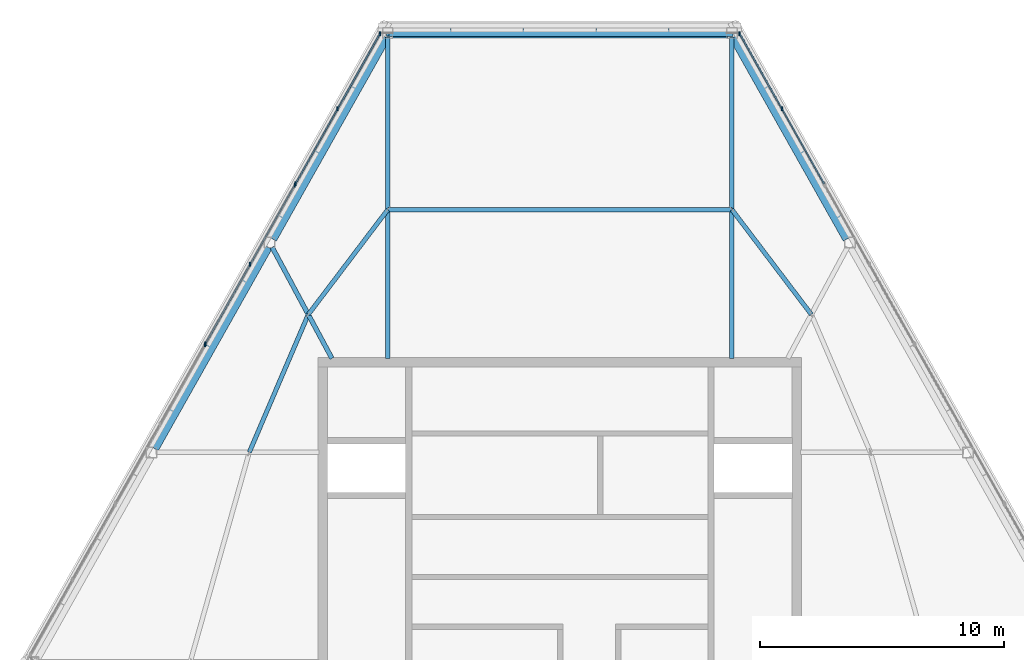
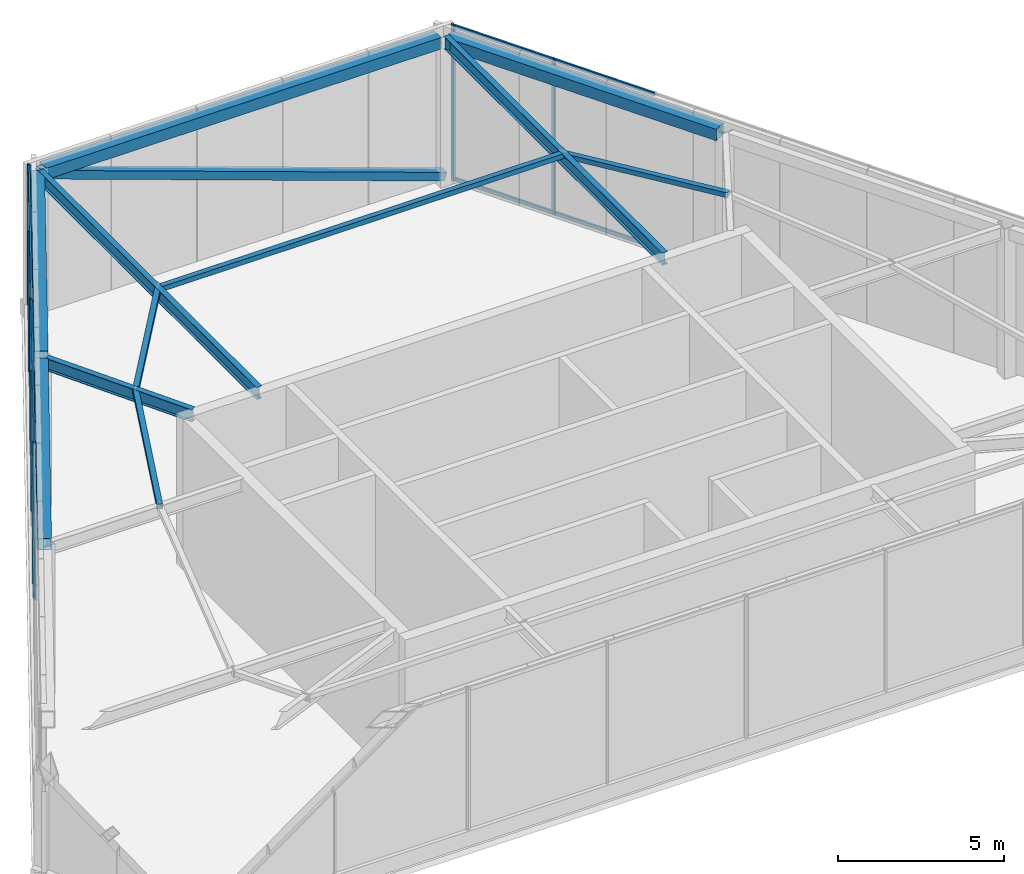
# One storey, part 4 of 12: 20 members, 7 beams, 4 elements without a shape of their own.
"""IFC4 building model written with IfcOpenShell, lengths in metres."""

import ifcopenshell
import ifcopenshell.guid

model = None  # the IFC model being written
_history = None  # IfcOwnerHistory: only IFC2X3 demands one
_inside = {}  # id of a spatial element -> (the spatial element, [elements in it])
_under = {}  # id of a project, library or spatial element -> (it, [spatial elements below it])
_declared = {}  # id of a project -> (the project, [libraries it declares])
_typed = {}  # id of a type object -> (the type object, [elements of that type])
_made_of = {}  # id of a material, layer set ... -> (it, [elements and type objects made of it])


def new_model(schema):
    """Start an empty IFC model of exactly this schema.

    Asked for "IFC4X3", IfcOpenShell would pick the latest addendum, in which some entities
    have other attributes; the version numbers below select the first issue.
    IFC2X3 requires an IfcOwnerHistory on every rooted entity: one is made here for all.
    """
    global model, _history
    if schema == "IFC4X3":
        model = ifcopenshell.file(schema_version=(4, 3, 0, 0))
    else:
        model = ifcopenshell.file(schema=schema)
    _inside.clear()
    _under.clear()
    _declared.clear()
    _typed.clear()
    _made_of.clear()
    _history = None
    if model.schema == "IFC2X3":
        org = make("IfcOrganization", Name="unknown")
        user = make(
            "IfcPersonAndOrganization",
            ThePerson=make("IfcPerson", FamilyName="unknown"),
            TheOrganization=org,
        )
        app = make(
            "IfcApplication",
            ApplicationDeveloper=org,
            Version="unknown",
            ApplicationFullName="unknown",
            ApplicationIdentifier="unknown",
        )
        _history = make(
            "IfcOwnerHistory",
            OwningUser=user,
            OwningApplication=app,
            ChangeAction="ADDED",
            CreationDate=0,
        )
    return model


def make(cls, **values):
    """One entity of the class cls with the attributes given. An attribute that is None is left unset."""
    return model.create_entity(
        cls, **{name: value for name, value in values.items() if value is not None}
    )


def rooted(cls, **values):
    """An entity with a GlobalId (a new one), such as an element, a storey or a relation."""
    return make(cls, GlobalId=ifcopenshell.guid.new(), OwnerHistory=_history, **values)


def si_unit(unit_type, name, prefix=None):
    """IfcSIUnit, for example si_unit("LENGTHUNIT", "METRE", prefix="MILLI")."""
    return make("IfcSIUnit", UnitType=unit_type, Prefix=prefix, Name=name)


def assignment(units):
    """IfcUnitAssignment: the units of a project."""
    return None if units is None else make("IfcUnitAssignment", Units=units)


def point(xyz):
    """IfcCartesianPoint."""
    return None if xyz is None else make("IfcCartesianPoint", Coordinates=xyz)


def direction(xyz):
    """IfcDirection."""
    return None if xyz is None else make("IfcDirection", DirectionRatios=xyz)


def frame(location, z_axis=None, x_axis=None):
    """IfcAxis2Placement3D, a coordinate frame: its origin and axes. An axis left out is left unset."""
    return make(
        "IfcAxis2Placement3D",
        Location=point(location),
        Axis=direction(z_axis),
        RefDirection=direction(x_axis),
    )


def frame_2d(location, x_axis=None):
    """IfcAxis2Placement2D, a coordinate frame in the plane: its origin and x axis."""
    return make(
        "IfcAxis2Placement2D", Location=point(location), RefDirection=direction(x_axis)
    )


def origin():
    """The frame at (0, 0, 0) with its axes left unset."""
    return frame((0.0, 0.0, 0.0))


def origin_2d():
    """The frame at (0, 0) in the plane with its x axis left unset."""
    return frame_2d((0.0, 0.0))


def place(relative_to, where):
    """IfcLocalPlacement: puts the frame where relative to a parent placement (None: the world)."""
    return make(
        "IfcLocalPlacement", PlacementRelTo=relative_to, RelativePlacement=where
    )


def context(
    kind, dimensions, precision=None, world=None, true_north=None, identifier=None
):
    """IfcGeometricRepresentationContext, for example the 3D "Model" context."""
    return make(
        "IfcGeometricRepresentationContext",
        ContextIdentifier=identifier,
        ContextType=kind,
        CoordinateSpaceDimension=dimensions,
        Precision=precision,
        WorldCoordinateSystem=world,
        TrueNorth=true_north,
    )


def subcontext(parent, identifier, kind, view, scale=None):
    """IfcGeometricRepresentationSubContext, for example "Body" below "Model"."""
    return make(
        "IfcGeometricRepresentationSubContext",
        ContextIdentifier=identifier,
        ContextType=kind,
        ParentContext=parent,
        TargetScale=scale,
        TargetView=view,
    )


def project(units=None, contexts=None):
    """IfcProject with its units and contexts."""
    return rooted(
        "IfcProject",
        Name="project",
        RepresentationContexts=contexts,
        UnitsInContext=assignment(units),
    )


def spatial(cls, under=None, at=None, **own):
    """A site, building, storey or space (cls), placed at a placement, below another one or the project."""
    s = rooted(cls, ObjectPlacement=at, **own)
    if under is not None:
        _under.setdefault(under.id(), (under, []))[1].append(s)
    return s


def profile(cls, at=None, kind="AREA", **sizes):
    """A parametric profile (cls). Its sizes go by their IFC names, for example OverallWidth=200.0."""
    return make(cls, ProfileType=kind, Position=at, **sizes)


def rectangle(**sizes):
    """IfcRectangleProfileDef."""
    return profile("IfcRectangleProfileDef", **sizes)


def hollow_rectangle(**sizes):
    """IfcRectangleHollowProfileDef."""
    return profile("IfcRectangleHollowProfileDef", **sizes)


def i_section(**sizes):
    """IfcIShapeProfileDef."""
    return profile("IfcIShapeProfileDef", **sizes)


def extrude(swept, where, along, depth):
    """IfcExtrudedAreaSolid: the profile swept, set in the frame where, extruded along a direction by depth."""
    return make(
        "IfcExtrudedAreaSolid",
        SweptArea=swept,
        Position=where,
        ExtrudedDirection=direction(along),
        Depth=depth,
    )


def shape(context_of_items, identifier, shape_type, items):
    """IfcShapeRepresentation: the items that make up one representation, for example the "Body"."""
    return make(
        "IfcShapeRepresentation",
        ContextOfItems=context_of_items,
        RepresentationIdentifier=identifier,
        RepresentationType=shape_type,
        Items=items,
    )


def material(Name=None, Category=None):
    """IfcMaterial."""
    return make("IfcMaterial", Name=Name, Category=Category)


def layer(
    of_material, thickness, ventilated=None, Name=None, Category=None, Priority=None
):
    """IfcMaterialLayer: one layer of a wall or slab, of a material (None: an air gap)."""
    return make(
        "IfcMaterialLayer",
        Material=of_material,
        LayerThickness=thickness,
        IsVentilated=ventilated,
        Name=Name,
        Category=Category,
        Priority=Priority,
    )


def layer_set(layers, Name=None):
    """IfcMaterialLayerSet."""
    return make("IfcMaterialLayerSet", MaterialLayers=layers, LayerSetName=Name)


def material_profile(
    of_material, cross_section, Name=None, Category=None, Priority=None
):
    """IfcMaterialProfile: a cross section and its material."""
    return make(
        "IfcMaterialProfile",
        Name=Name,
        Material=of_material,
        Profile=cross_section,
        Priority=Priority,
        Category=Category,
    )


def profile_set(profiles, Name=None, composite=None):
    """IfcMaterialProfileSet."""
    return make(
        "IfcMaterialProfileSet",
        Name=Name,
        MaterialProfiles=profiles,
        CompositeProfile=composite,
    )


def made_of(thing, what):
    """Note that an element or type object is made of a material, layer set ...; save() writes the relation."""
    if what is not None:
        _made_of.setdefault(what.id(), (what, []))[1].append(thing)
    return thing


def type_object(cls, material=None, **own):
    """A type object (cls), such as IfcWallType, which elements share."""
    return made_of(rooted(cls, **own), material)


def element(
    cls,
    number,
    at=None,
    inside=None,
    cuts=None,
    type_object=None,
    material=None,
    context=None,
    identifier="Body",
    shape_type=None,
    held_by="IfcProductDefinitionShape",
    body=None,
    shapes=None,
    **own,
):
    """One element of the class cls, such as IfcWall. Its Tag is "e" and its number.

    at: its placement. inside: the storey or other place that contains it. cuts: it is an
    opening in that element (IfcRelVoidsElement). A single representation is given by context,
    identifier, shape_type and body (its items); several are given by shapes. held_by: the class
    of the entity that holds the representations. save() writes the other relations.
    """
    e = rooted(cls, Tag="e%d" % number, ObjectPlacement=at, **own)
    if body is not None:
        shapes = [shape(context, identifier, shape_type, body)]
    if shapes is not None:
        e.Representation = make(held_by, Representations=shapes)
    if inside is not None:
        _inside.setdefault(inside.id(), (inside, []))[1].append(e)
    if cuts is not None:
        rooted(
            "IfcRelVoidsElement", RelatingBuildingElement=cuts, RelatedOpeningElement=e
        )
    if type_object is not None:
        _typed.setdefault(type_object.id(), (type_object, []))[1].append(e)
    return made_of(e, material)


def aggregate(whole, parts):
    """IfcRelAggregates: a whole, such as a stair, and the parts it consists of."""
    return rooted("IfcRelAggregates", RelatingObject=whole, RelatedObjects=parts)


def save(model, path):
    """Write the relations noted so far, then the file.

    IfcRelAggregates (storeys below a building ...), IfcRelContainedInSpatialStructure (elements
    in a storey), IfcRelDefinesByType, IfcRelAssociatesMaterial and IfcRelDeclares: one each for
    every whole, place, type object, material and project.
    """
    for whole, parts in _under.values():
        aggregate(whole, parts)
    for where, things in _inside.values():
        rooted(
            "IfcRelContainedInSpatialStructure",
            RelatedElements=things,
            RelatingStructure=where,
        )
    for kind, things in _typed.values():
        rooted("IfcRelDefinesByType", RelatedObjects=things, RelatingType=kind)
    for what, things in _made_of.values():
        rooted("IfcRelAssociatesMaterial", RelatedObjects=things, RelatingMaterial=what)
    for by, libraries in _declared.values():
        rooted("IfcRelDeclares", RelatingContext=by, RelatedDefinitions=libraries)
    model.write(path)


model = new_model("IFC4")

# Units and contexts
model_context = context("Model", 3, precision=1e-05, world=origin(), true_north=direction((0.0, 1.0)))
body_context = subcontext(model_context, "Body", "Model", "MODEL_VIEW")
ifc_project = project(units=[si_unit("LENGTHUNIT", "METRE"), si_unit("AREAUNIT", "SQUARE_METRE"), si_unit("VOLUMEUNIT", "CUBIC_METRE"), si_unit("PLANEANGLEUNIT", "RADIAN"), si_unit("MASSUNIT", "GRAM", prefix="KILO")], contexts=[model_context])

# Site, building, storey
site_placement = place(None, origin())
site = spatial("IfcSite", under=ifc_project, at=site_placement, CompositionType="ELEMENT")
building_placement = place(site_placement, origin())
building = spatial("IfcBuilding", under=site, at=building_placement, Name="Kavelnor Concourse Tower", CompositionType="ELEMENT")
storey_placement = place(building_placement, frame((0.0, 0.0, 315.699951171875)))
storey = spatial("IfcBuildingStorey", under=building, at=storey_placement, Name="L79", CompositionType="ELEMENT", Elevation=315.699951171875)

# Beams
ifc_material_1 = material(Name="Steel Grade 350", Category="steel")
ifc_material_profile_1 = material_profile(ifc_material_1, hollow_rectangle(XDim=0.419921875, YDim=0.419921875, WallThickness=0.02001953125, at=origin_2d()), Name="RHS 420x420x20")
ifc_profile_set_1 = profile_set([ifc_material_profile_1], Name="Steel Grade 350")
beam_type_1 = type_object("IfcBeamType", Name="BM-CROWN-CAP-420", PredefinedType="BEAM", material=ifc_profile_set_1)
beam_1_placement = place(storey_placement, frame((30.85791015625, 36.110595703125, 5.31005859375), z_axis=(-0.490756437, -0.871296803359, 0.0), x_axis=(0.871296803359, -0.490756437, 0.0)))
element("IfcBeam", 1, at=beam_1_placement, inside=storey, type_object=beam_type_1, Name="L79 Crown Frame Cap Ring Beam 01", PredefinedType="BEAM", context=body_context, shape_type="SweptSolid", body=[
    extrude(hollow_rectangle(XDim=0.419921875, YDim=0.419921875, WallThickness=0.02001953125, at=origin_2d()), origin(), (0.0, 0.0, 1.0), 9.478515625),
])
beam_2_placement = place(storey_placement, frame((26.02001953125, 27.52099609375, 5.31005859375), z_axis=(-0.490747896448, -0.871301613755, 0.0), x_axis=(0.871301613755, -0.490747896448, 0.0)))
element("IfcBeam", 2, at=beam_2_placement, inside=storey, type_object=beam_type_1, Name="L79 Crown Frame Cap Ring Beam 02", PredefinedType="BEAM", context=body_context, shape_type="SweptSolid", body=[
    extrude(hollow_rectangle(XDim=0.419921875, YDim=0.419921875, WallThickness=0.02001953125, at=origin_2d()), origin(), (0.0, 0.0, 1.0), 9.47802734375),
])
beam_3_placement = place(storey_placement, frame((49.793701171875, 27.85205078125, 5.31005859375), z_axis=(-0.490756437, 0.871296803359, 0.0), x_axis=(-0.871296803359, -0.490756437, 0.0)))
element("IfcBeam", 3, at=beam_3_placement, inside=storey, type_object=beam_type_1, Name="L79 Crown Frame Cap Ring Beam 11", PredefinedType="BEAM", context=body_context, shape_type="SweptSolid", body=[
    extrude(hollow_rectangle(XDim=0.419921875, YDim=0.419921875, WallThickness=0.02001953125, at=origin_2d()), origin(), (0.0, 0.0, 1.0), 9.478515625),
])
beam_4_placement = place(storey_placement, frame((44.85888671875, 36.276123046875, 5.31005859375), z_axis=(-1.0, 0.0, 0.0), x_axis=(0.0, -1.0, 0.0)))
element("IfcBeam", 4, at=beam_4_placement, inside=storey, type_object=beam_type_1, Name="L79 Crown Frame Cap Ring Beam 12", PredefinedType="BEAM", context=body_context, shape_type="SweptSolid", body=[
    extrude(hollow_rectangle(XDim=0.419921875, YDim=0.419921875, WallThickness=0.02001953125, at=origin_2d()), origin(), (0.0, 0.0, 1.0), 13.7177734375),
])
ifc_material_profile_2 = material_profile(ifc_material_1, i_section(OverallWidth=0.18994140625, OverallDepth=0.4541015625, WebThickness=0.008544921875, FlangeThickness=0.0126953125, at=origin_2d()), Name="460UB67")
ifc_profile_set_2 = profile_set([ifc_material_profile_2], Name="Steel Grade 350")
beam_type_2 = type_object("IfcBeamType", Name="BM-PRIMARY-460", PredefinedType="BEAM", material=ifc_profile_set_2)
beam_5_placement = place(storey_placement, frame((30.950927734375, 22.93994140625, 5.29296875), z_axis=(0.0, 1.0, 0.0), x_axis=(-1.0, 0.0, 0.0)))
element("IfcBeam", 5, at=beam_5_placement, inside=storey, type_object=beam_type_2, Name="L79 Crown Frame Radial Girder F0B0", PredefinedType="BEAM", context=body_context, shape_type="SweptSolid", body=[
    extrude(i_section(OverallWidth=0.18994140625, OverallDepth=0.4541015625, WebThickness=0.008544921875, FlangeThickness=0.0126953125, at=origin_2d()), origin(), (0.0, 0.0, 1.0), 13.151123046875),
])
beam_6_placement = place(storey_placement, frame((28.6640625, 22.94482421875, 5.29296875), z_axis=(-0.473747703751, 0.880660611808, 0.0), x_axis=(-0.880660611808, -0.473747703751, 0.0)))
element("IfcBeam", 6, at=beam_6_placement, inside=storey, type_object=beam_type_2, Name="L79 Crown Frame Radial Girder F0B2", PredefinedType="BEAM", context=body_context, shape_type="SweptSolid", body=[
    extrude(i_section(OverallWidth=0.18994140625, OverallDepth=0.4541015625, WebThickness=0.008544921875, FlangeThickness=0.0126953125, at=origin_2d()), origin(), (0.0, 0.0, 1.0), 5.1689453125),
])
beam_7_placement = place(storey_placement, frame((45.049072265625, 22.93994140625, 5.29296875), z_axis=(0.0, 1.0, 0.0), x_axis=(-1.0, 0.0, 0.0)))
element("IfcBeam", 7, at=beam_7_placement, inside=storey, type_object=beam_type_2, Name="L79 Crown Frame Radial Girder F2B6", PredefinedType="BEAM", context=body_context, shape_type="SweptSolid", body=[
    extrude(i_section(OverallWidth=0.18994140625, OverallDepth=0.4541015625, WebThickness=0.008544921875, FlangeThickness=0.0126953125, at=origin_2d()), origin(), (0.0, 0.0, 1.0), 13.151123046875),
])

# Curtain wall, members
ifc_material_2 = material(Name="Anodised aluminium 6063-T6", Category="aluminium")
ifc_layer = layer(ifc_material_2, 0.1650390625, Name="Anodised aluminium 6063-T6")
ifc_layer_set = layer_set([ifc_layer], Name="Anodised aluminium 6063-T6")
curtain_wall_type = type_object("IfcCurtainWallType", Name="CW-CROWN-SCREEN", PredefinedType="NOTDEFINED", material=ifc_layer_set)
curtain_wall_1_placement = place(storey_placement, origin())
curtain_wall_1 = element("IfcCurtainWall", 8, at=curtain_wall_1_placement, inside=storey, type_object=curtain_wall_type, Name="L79 Crown Fritted Screen Curtain Wall E1-S1", PredefinedType="NOTDEFINED")
ifc_material_profile_3 = material_profile(ifc_material_2, rectangle(XDim=0.06005859375, YDim=0.1650390625, at=origin_2d()), Name="AL-MULL 60x165")
ifc_profile_set_3 = profile_set([ifc_material_profile_3], Name="Anodised aluminium 6063-T6")
member_type_1 = type_object("IfcMemberType", Name="CW-CROWN-SCREEN-MULL", PredefinedType="MULLION", material=ifc_profile_set_3)
member_1_placement = place(storey_placement, frame((30.631591796875, 36.238525390625, 0.0), z_axis=(0.0, 0.0, 1.0), x_axis=(1.0, 0.0, 0.0)))
member_1 = element("IfcMember", 9, at=member_1_placement, type_object=member_type_1, Name="L79 Crown Fritted Screen Curtain Wall E1-S1 Mullion 0", PredefinedType="MULLION", context=body_context, shape_type="SweptSolid", body=[
    extrude(rectangle(XDim=0.06005859375, YDim=0.1650390625, at=origin_2d()), origin(), (0.0, 0.0, 1.0), 5.72998046875),
])
member_2_placement = place(storey_placement, frame((28.9013671875, 33.16650390625, 0.0), z_axis=(0.0, 0.0, 1.0), x_axis=(1.0, 0.0, 0.0)))
member_2 = element("IfcMember", 10, at=member_2_placement, type_object=member_type_1, Name="L79 Crown Fritted Screen Curtain Wall E1-S1 Mullion 1", PredefinedType="MULLION", context=body_context, shape_type="SweptSolid", body=[
    extrude(rectangle(XDim=0.06005859375, YDim=0.1650390625, at=origin_2d()), origin(), (0.0, 0.0, 1.0), 5.72998046875),
])
member_3_placement = place(storey_placement, frame((27.171142578125, 30.0947265625, 0.0), z_axis=(0.0, 0.0, 1.0), x_axis=(1.0, 0.0, 0.0)))
member_3 = element("IfcMember", 11, at=member_3_placement, type_object=member_type_1, Name="L79 Crown Fritted Screen Curtain Wall E1-S1 Mullion 2", PredefinedType="MULLION", context=body_context, shape_type="SweptSolid", body=[
    extrude(rectangle(XDim=0.06005859375, YDim=0.1650390625, at=origin_2d()), origin(), (0.0, 0.0, 1.0), 5.72998046875),
])

curtain_wall_2_placement = place(storey_placement, origin())
curtain_wall_2 = element("IfcCurtainWall", 12, at=curtain_wall_2_placement, inside=storey, type_object=curtain_wall_type, Name="L79 Crown Fritted Screen Curtain Wall E1-S2", PredefinedType="NOTDEFINED")
member_4_placement = place(storey_placement, frame((27.1416015625, 30.04248046875, 0.0), z_axis=(0.0, 0.0, 1.0), x_axis=(1.0, 0.0, 0.0)))
member_4 = element("IfcMember", 13, at=member_4_placement, type_object=member_type_1, Name="L79 Crown Fritted Screen Curtain Wall E1-S2 Mullion 0", PredefinedType="MULLION", context=body_context, shape_type="SweptSolid", body=[
    extrude(rectangle(XDim=0.06005859375, YDim=0.1650390625, at=origin_2d()), origin(), (0.0, 0.0, 1.0), 5.72998046875),
])
member_5_placement = place(storey_placement, frame((25.313232421875, 26.79638671875, 0.0), z_axis=(0.0, 0.0, 1.0), x_axis=(1.0, 0.0, 0.0)))
member_5 = element("IfcMember", 14, at=member_5_placement, type_object=member_type_1, Name="L79 Crown Fritted Screen Curtain Wall E1-S2 Mullion 1", PredefinedType="MULLION", context=body_context, shape_type="SweptSolid", body=[
    extrude(rectangle(XDim=0.06005859375, YDim=0.1650390625, at=origin_2d()), origin(), (0.0, 0.0, 1.0), 5.72998046875),
])
member_6_placement = place(storey_placement, frame((23.485107421875, 23.550048828125, 0.0), z_axis=(0.0, 0.0, 1.0), x_axis=(1.0, 0.0, 0.0)))
member_6 = element("IfcMember", 15, at=member_6_placement, type_object=member_type_1, Name="L79 Crown Fritted Screen Curtain Wall E1-S2 Mullion 2", PredefinedType="MULLION", context=body_context, shape_type="SweptSolid", body=[
    extrude(rectangle(XDim=0.06005859375, YDim=0.1650390625, at=origin_2d()), origin(), (0.0, 0.0, 1.0), 5.72998046875),
])

# Curtain wall, member
curtain_wall_3_placement = place(storey_placement, origin())
curtain_wall_3 = element("IfcCurtainWall", 16, at=curtain_wall_3_placement, inside=storey, type_object=curtain_wall_type, Name="L79 Crown Fritted Screen Curtain Wall E1-S3", PredefinedType="NOTDEFINED")
member_7_placement = place(storey_placement, frame((23.45556640625, 23.497802734375, 0.0), z_axis=(0.0, 0.0, 1.0), x_axis=(1.0, 0.0, 0.0)))
member_7 = element("IfcMember", 17, at=member_7_placement, type_object=member_type_1, Name="L79 Crown Fritted Screen Curtain Wall E1-S3 Mullion 0", PredefinedType="MULLION", context=body_context, shape_type="SweptSolid", body=[
    extrude(rectangle(XDim=0.06005859375, YDim=0.1650390625, at=origin_2d()), origin(), (0.0, 0.0, 1.0), 5.72998046875),
])
aggregate(curtain_wall_3, [member_7])

# Curtain wall, members
curtain_wall_4_placement = place(storey_placement, origin())
curtain_wall_4 = element("IfcCurtainWall", 18, at=curtain_wall_4_placement, inside=storey, type_object=curtain_wall_type, Name="L79 Crown Fritted Screen Curtain Wall E5-S4", PredefinedType="NOTDEFINED")
member_8_placement = place(storey_placement, frame((47.0986328125, 33.16650390625, 0.0), z_axis=(0.0, 0.0, 1.0), x_axis=(1.0, 0.0, 0.0)))
member_8 = element("IfcMember", 19, at=member_8_placement, type_object=member_type_1, Name="L79 Crown Fritted Screen Curtain Wall E5-S4 Mullion 1", PredefinedType="MULLION", context=body_context, shape_type="SweptSolid", body=[
    extrude(rectangle(XDim=0.06005859375, YDim=0.1650390625, at=origin_2d()), origin(), (0.0, 0.0, 1.0), 5.72998046875),
])
member_9_placement = place(storey_placement, frame((45.368408203125, 36.238525390625, 0.0), z_axis=(0.0, 0.0, 1.0), x_axis=(1.0, 0.0, 0.0)))
member_9 = element("IfcMember", 20, at=member_9_placement, type_object=member_type_1, Name="L79 Crown Fritted Screen Curtain Wall E5-S4 Mullion 2", PredefinedType="MULLION", context=body_context, shape_type="SweptSolid", body=[
    extrude(rectangle(XDim=0.06005859375, YDim=0.1650390625, at=origin_2d()), origin(), (0.0, 0.0, 1.0), 5.72998046875),
])

# Member
ifc_material_profile_4 = material_profile(ifc_material_2, rectangle(XDim=0.06005859375, YDim=0.135009765625, at=origin_2d()), Name="AL-TRAN 60x135")
ifc_profile_set_4 = profile_set([ifc_material_profile_4], Name="Anodised aluminium 6063-T6")
member_type_2 = type_object("IfcMemberType", Name="CW-CROWN-SCREEN-TRAN", PredefinedType="USERDEFINED", material=ifc_profile_set_4)
member_10_placement = place(storey_placement, frame((30.631591796875, 36.238525390625, 0.06005859375), z_axis=(-0.49075267072, -0.871298924699, 0.0), x_axis=(0.871298924699, -0.49075267072, 0.0)))
member_10 = element("IfcMember", 21, at=member_10_placement, type_object=member_type_2, Name="L79 Crown Fritted Screen Curtain Wall E1-S1 Transom 0-BOT", ObjectType="TRANSOM", PredefinedType="USERDEFINED", context=body_context, shape_type="SweptSolid", body=[
    extrude(rectangle(XDim=0.06005859375, YDim=0.135009765625, at=origin_2d()), origin(), (0.0, 0.0, 1.0), 7.05126953125),
])

member_11_placement = place(storey_placement, frame((30.631591796875, 36.238525390625, 5.670166015625), z_axis=(-0.49075267072, -0.871298924699, 0.0), x_axis=(0.871298924699, -0.49075267072, 0.0)))
member_11 = element("IfcMember", 22, at=member_11_placement, type_object=member_type_2, Name="L79 Crown Fritted Screen Curtain Wall E1-S1 Transom 0-TOP", ObjectType="TRANSOM", PredefinedType="USERDEFINED", context=body_context, shape_type="SweptSolid", body=[
    extrude(rectangle(XDim=0.06005859375, YDim=0.135009765625, at=origin_2d()), origin(), (0.0, 0.0, 1.0), 7.05126953125),
])

aggregate(curtain_wall_1, [member_1, member_2, member_3, member_10, member_11])

member_12_placement = place(storey_placement, frame((27.1416015625, 30.04248046875, 0.06005859375), z_axis=(-0.490720074883, -0.871317283259, 0.0), x_axis=(0.871317283259, -0.490720074883, 0.0)))
member_12 = element("IfcMember", 23, at=member_12_placement, type_object=member_type_2, Name="L79 Crown Fritted Screen Curtain Wall E1-S2 Transom 0-BOT", ObjectType="TRANSOM", PredefinedType="USERDEFINED", context=body_context, shape_type="SweptSolid", body=[
    extrude(rectangle(XDim=0.06005859375, YDim=0.135009765625, at=origin_2d()), origin(), (0.0, 0.0, 1.0), 7.451171875),
])

member_13_placement = place(storey_placement, frame((27.1416015625, 30.04248046875, 5.670166015625), z_axis=(-0.490720074883, -0.871317283259, 0.0), x_axis=(0.871317283259, -0.490720074883, 0.0)))
member_13 = element("IfcMember", 24, at=member_13_placement, type_object=member_type_2, Name="L79 Crown Fritted Screen Curtain Wall E1-S2 Transom 0-TOP", ObjectType="TRANSOM", PredefinedType="USERDEFINED", context=body_context, shape_type="SweptSolid", body=[
    extrude(rectangle(XDim=0.06005859375, YDim=0.135009765625, at=origin_2d()), origin(), (0.0, 0.0, 1.0), 7.451171875),
])

aggregate(curtain_wall_2, [member_4, member_5, member_6, member_12, member_13])

member_14_placement = place(storey_placement, frame((48.828857421875, 30.0947265625, 0.06005859375), z_axis=(-0.49075267072, 0.871298924699, 0.0), x_axis=(-0.871298924699, -0.49075267072, 0.0)))
member_14 = element("IfcMember", 25, at=member_14_placement, type_object=member_type_2, Name="L79 Crown Fritted Screen Curtain Wall E5-S4 Transom 0-BOT", ObjectType="TRANSOM", PredefinedType="USERDEFINED", context=body_context, shape_type="SweptSolid", body=[
    extrude(rectangle(XDim=0.06005859375, YDim=0.135009765625, at=origin_2d()), origin(), (0.0, 0.0, 1.0), 7.05126953125),
])

member_15_placement = place(storey_placement, frame((48.828857421875, 30.0947265625, 5.670166015625), z_axis=(-0.49075267072, 0.871298924699, 0.0), x_axis=(-0.871298924699, -0.49075267072, 0.0)))
member_15 = element("IfcMember", 26, at=member_15_placement, type_object=member_type_2, Name="L79 Crown Fritted Screen Curtain Wall E5-S4 Transom 0-TOP", ObjectType="TRANSOM", PredefinedType="USERDEFINED", context=body_context, shape_type="SweptSolid", body=[
    extrude(rectangle(XDim=0.06005859375, YDim=0.135009765625, at=origin_2d()), origin(), (0.0, 0.0, 1.0), 7.05126953125),
])

aggregate(curtain_wall_4, [member_8, member_9, member_14, member_15])

# Members
ifc_material_profile_5 = material_profile(ifc_material_1, hollow_rectangle(XDim=0.300048828125, YDim=0.300048828125, WallThickness=0.01611328125, at=origin_2d()), Name="SHS 300x300x16")
ifc_profile_set_5 = profile_set([ifc_material_profile_5], Name="Steel Grade 350")
member_type_3 = type_object("IfcMemberType", Name="MBR-CROWN-BRACE-300", PredefinedType="BRACE", material=ifc_profile_set_5)
member_16_placement = place(storey_placement, frame((45.049072265625, 36.276123046875, 0.300048828125), z_axis=(-0.942270876211, 0.0, 0.334851602721), x_axis=(0.0, -1.0, 0.0)))
element("IfcMember", 27, at=member_16_placement, inside=storey, type_object=member_type_3, Name="L79 Crown Frame Diagonal Brace 12", PredefinedType="BRACE", context=body_context, shape_type="SweptSolid", body=[
    extrude(hollow_rectangle(XDim=0.300048828125, YDim=0.300048828125, WallThickness=0.01611328125, at=origin_2d()), origin(), (0.0, 0.0, 1.0), 14.9619140625),
])
ifc_material_profile_6 = material_profile(ifc_material_1, hollow_rectangle(XDim=0.179931640625, YDim=0.179931640625, WallThickness=0.010009765625, at=origin_2d()), Name="SHS 180x180x10")
ifc_profile_set_6 = profile_set([ifc_material_profile_6], Name="Steel Grade 350")
member_type_4 = type_object("IfcMemberType", Name="MBR-ROOF-PURLIN-180", PredefinedType="PURLIN", material=ifc_profile_set_6)
member_17_placement = place(storey_placement, frame((30.950927734375, 29.0380859375, 5.429931640625), z_axis=(-0.60395800091, -0.797016143586, 0.0), x_axis=(0.797016143586, -0.60395800091, 0.0)))
element("IfcMember", 28, at=member_17_placement, inside=storey, type_object=member_type_4, Name="L79 Crown Roof Purlin 01", PredefinedType="PURLIN", context=body_context, shape_type="SweptSolid", body=[
    extrude(hollow_rectangle(XDim=0.179931640625, YDim=0.179931640625, WallThickness=0.010009765625, at=origin_2d()), origin(), (0.0, 0.0, 1.0), 5.388427734375),
])
member_18_placement = place(storey_placement, frame((27.696533203125, 24.743408203125, 5.429931640625), z_axis=(-0.393765790447, -0.919210804045, 0.0), x_axis=(0.919210804045, -0.393765790447, 0.0)))
element("IfcMember", 29, at=member_18_placement, inside=storey, type_object=member_type_4, Name="L79 Crown Roof Purlin 02", PredefinedType="PURLIN", context=body_context, shape_type="SweptSolid", body=[
    extrude(hollow_rectangle(XDim=0.179931640625, YDim=0.179931640625, WallThickness=0.010009765625, at=origin_2d()), origin(), (0.0, 0.0, 1.0), 6.142578125),
])
member_19_placement = place(storey_placement, frame((48.303466796875, 24.743408203125, 5.429931640625), z_axis=(-0.60395800091, 0.797016143586, 0.0), x_axis=(-0.797016143586, -0.60395800091, 0.0)))
element("IfcMember", 30, at=member_19_placement, inside=storey, type_object=member_type_4, Name="L79 Crown Roof Purlin 11", PredefinedType="PURLIN", context=body_context, shape_type="SweptSolid", body=[
    extrude(hollow_rectangle(XDim=0.179931640625, YDim=0.179931640625, WallThickness=0.010009765625, at=origin_2d()), origin(), (0.0, 0.0, 1.0), 5.388427734375),
])
member_20_placement = place(storey_placement, frame((45.049072265625, 29.0380859375, 5.429931640625), z_axis=(-1.0, 0.0, 0.0), x_axis=(0.0, -1.0, 0.0)))
element("IfcMember", 31, at=member_20_placement, inside=storey, type_object=member_type_4, Name="L79 Crown Roof Purlin 12", PredefinedType="PURLIN", context=body_context, shape_type="SweptSolid", body=[
    extrude(hollow_rectangle(XDim=0.179931640625, YDim=0.179931640625, WallThickness=0.010009765625, at=origin_2d()), origin(), (0.0, 0.0, 1.0), 14.09814453125),
])

save(model, "model.ifc")
